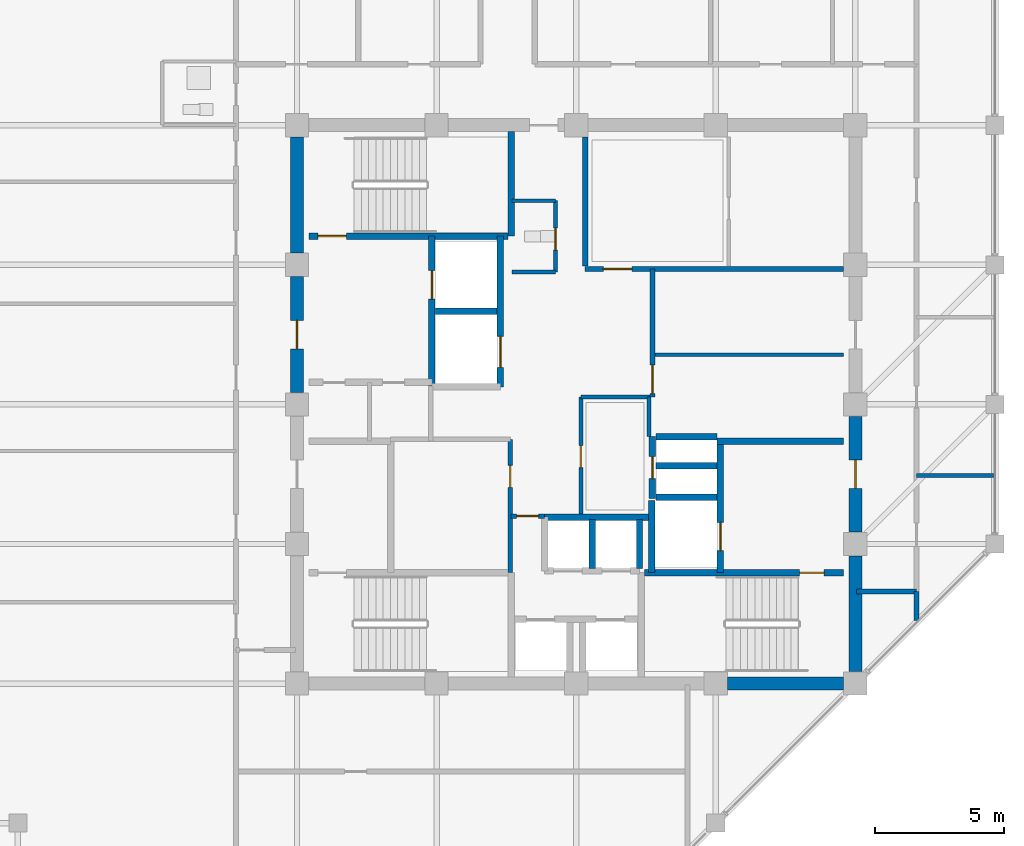
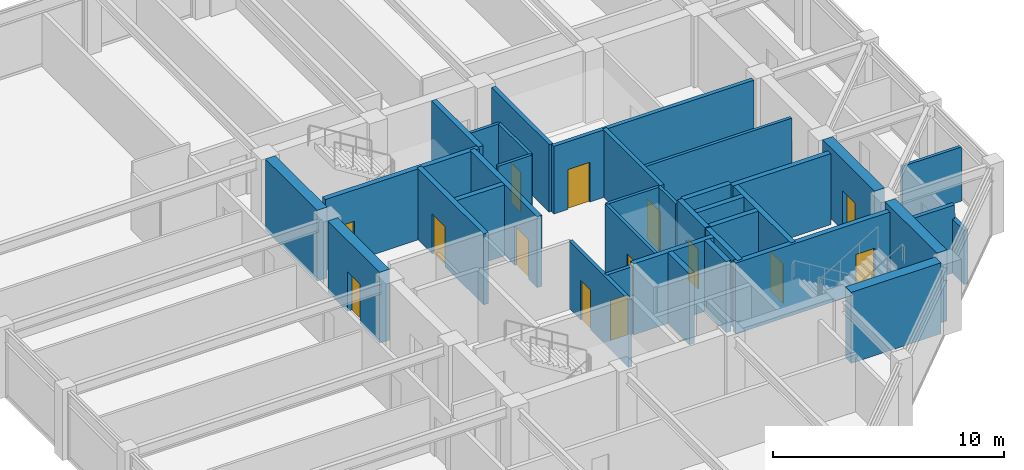
# One storey, part 27 of 31: 36 walls, 14 doors, 14 openings.
"""IFC4 building model written with IfcOpenShell, lengths in metres."""

from ifc_helpers import new_model, si_unit, direction, frame, frame_2d, origin, place, context, subcontext, project, spatial, rectangle, extrude, material, layer, layer_set, type_object, element, fill, save


model = new_model("IFC4")

# Units and contexts
model_context = context("Model", 3, precision=1e-05, world=origin(), true_north=direction((0.0, 1.0)))
body_context = subcontext(model_context, "Body", "Model", "MODEL_VIEW")
ifc_project = project(units=[si_unit("LENGTHUNIT", "METRE"), si_unit("AREAUNIT", "SQUARE_METRE"), si_unit("VOLUMEUNIT", "CUBIC_METRE"), si_unit("PLANEANGLEUNIT", "RADIAN"), si_unit("MASSUNIT", "GRAM", prefix="KILO")], contexts=[model_context])

# Site, building, storey
site_placement = place(None, origin())
site = spatial("IfcSite", under=ifc_project, at=site_placement, CompositionType="ELEMENT")
building_placement = place(site_placement, origin())
building = spatial("IfcBuilding", under=site, at=building_placement, Name="Surkhivell Harbour Commons", CompositionType="ELEMENT")
storey_placement = place(building_placement, frame((0.0, 0.0, 285.0)))
storey = spatial("IfcBuildingStorey", under=building, at=storey_placement, Name="L74", CompositionType="ELEMENT", Elevation=285.0)

# Wall
ifc_material_1 = material(Name="Concrete C50/60", Category="concrete")
ifc_layer_1 = layer(ifc_material_1, 0.5)
ifc_layer_set_1 = layer_set([ifc_layer_1], Name="Concrete C50/60")
wall_type_1 = type_object("IfcWallType", Name="WAL-CORE-500", PredefinedType="SHEAR", material=ifc_layer_set_1)
wall_1_placement = place(storey_placement, frame((10.800048828125, -10.340087890625, 0.0), z_axis=(0.0, 0.0, 1.0), x_axis=(0.0, 1.0, 0.0)))
element("IfcWall", 1, at=wall_1_placement, inside=storey, type_object=wall_type_1, Name="L74 Core Shear Wall East 1", PredefinedType="SHEAR", context=body_context, shape_type="SweptSolid", body=[
    extrude(rectangle(XDim=4.47998046875, YDim=0.5, at=frame_2d((2.239990234375, 0.0))), origin(), (0.0, 0.0, 1.0), 3.75),
])

# Wall, opening, door
wall_2_placement = place(storey_placement, frame((10.800048828125, -4.93994140625, 0.0), z_axis=(0.0, 0.0, 1.0), x_axis=(0.0, 1.0, 0.0)))
wall_2 = element("IfcWall", 2, at=wall_2_placement, inside=storey, type_object=wall_type_1, Name="L74 Core Shear Wall East 2", PredefinedType="SHEAR", context=body_context, shape_type="SweptSolid", body=[
    extrude(rectangle(XDim=4.47998046875, YDim=0.5, at=frame_2d((2.239990234375, 0.0))), origin(), (0.0, 0.0, 1.0), 3.75),
])
opening_1_placement = place(wall_2_placement, frame((1.68994140625, 0.0, 0.0)))
opening_1 = element("IfcOpeningElement", 3, at=opening_1_placement, cuts=wall_2, Name="Opening ID-1", PredefinedType="OPENING", context=body_context, shape_type="SweptSolid", body=[
    extrude(rectangle(XDim=1.10009765625, YDim=2.10009765625, at=frame_2d((0.550048828125, 1.050048828125))), frame((0.0, 0.260009765625, 0.0), z_axis=(0.0, -1.0, 0.0), x_axis=(1.0, 0.0, 0.0)), (0.0, 0.0, 1.0), 0.52001953125),
])
ifc_material_2 = material(Name="Hardwood-veneered fire-rated door leaf", Category="wood")
door_type_1 = type_object("IfcDoorType", Name="DOR-FD120-1100", OperationType="NOTDEFINED", PredefinedType="DOOR", material=ifc_material_2)
door_1_placement = place(opening_1_placement, origin())
door_1 = element("IfcDoor", 4, at=door_1_placement, inside=storey, type_object=door_type_1, Name="L74 Firefighting Lobby 2 Corridor Door", OperationType="SINGLE_SWING_RIGHT", OverallHeight=2.10009765625, OverallWidth=1.10009765625, PredefinedType="DOOR", context=body_context, shape_type="SweptSolid", body=[
    extrude(rectangle(XDim=1.10009765625, YDim=2.10009765625, at=frame_2d((0.550048828125, 1.050048828125))), frame((0.0, 0.02490234375, 0.0), z_axis=(0.0, -1.0, 0.0), x_axis=(1.0, 0.0, 0.0)), (0.0, 0.0, 1.0), 0.050048828125),
])
fill(opening_1, door_1)

wall_3_placement = place(storey_placement, frame((-10.800048828125, 0.4599609375, 0.0), z_axis=(0.0, 0.0, 1.0), x_axis=(0.0, 1.0, 0.0)))
wall_3 = element("IfcWall", 5, at=wall_3_placement, inside=storey, type_object=wall_type_1, Name="L74 Core Shear Wall West 3", PredefinedType="SHEAR", context=body_context, shape_type="SweptSolid", body=[
    extrude(rectangle(XDim=4.47998046875, YDim=0.5, at=frame_2d((2.239990234375, 0.0))), origin(), (0.0, 0.0, 1.0), 3.75),
])
opening_2_placement = place(wall_3_placement, frame((1.68994140625, 0.0, 0.0)))
opening_2 = element("IfcOpeningElement", 6, at=opening_2_placement, cuts=wall_3, Name="Opening ID-1", PredefinedType="OPENING", context=body_context, shape_type="SweptSolid", body=[
    extrude(rectangle(XDim=1.10009765625, YDim=2.10009765625, at=frame_2d((0.550048828125, 1.050048828125))), frame((0.0, 0.260009765625, 0.0), z_axis=(0.0, -1.0, 0.0), x_axis=(1.0, 0.0, 0.0)), (0.0, 0.0, 1.0), 0.52001953125),
])
door_2_placement = place(opening_2_placement, origin())
door_2 = element("IfcDoor", 7, at=door_2_placement, inside=storey, type_object=door_type_1, Name="L74 Firefighting Lobby 1 Corridor Door", OperationType="SINGLE_SWING_LEFT", OverallHeight=2.10009765625, OverallWidth=1.10009765625, PredefinedType="DOOR", context=body_context, shape_type="SweptSolid", body=[
    extrude(rectangle(XDim=1.10009765625, YDim=2.10009765625, at=frame_2d((0.550048828125, 1.050048828125))), frame((0.0, 0.02490234375, 0.0), z_axis=(0.0, -1.0, 0.0), x_axis=(1.0, 0.0, 0.0)), (0.0, 0.0, 1.0), 0.050048828125),
])
fill(opening_2, door_2)

# Walls
for number, where, z_axis, x_axis, name in (
    (8, (5.860107421875, -10.800048828125, 0.0), (0.0, 0.0, 1.0), (1.0, 0.0, 0.0), "L74 Core Shear Wall South 4"),
    (9, (-10.800048828125, 5.860107421875, 0.0), (0.0, 0.0, 1.0), (0.0, 1.0, 0.0), "L74 Core Shear Wall West 4"),
):
    element("IfcWall", number, at=place(storey_placement, frame(where, z_axis=z_axis, x_axis=x_axis)), inside=storey, type_object=wall_type_1, Name=name, PredefinedType="SHEAR", context=body_context, shape_type="SweptSolid", body=[
        extrude(rectangle(XDim=4.47998046875, YDim=0.5, at=frame_2d((2.239990234375, 0.0))), origin(), (0.0, 0.0, 1.0), 3.75),
    ])

# Wall, opening, door
ifc_material_3 = material(Name="Twin-stud acoustic fireboard partition", Category="other")
ifc_layer_2 = layer(ifc_material_3, 0.14990234375)
ifc_layer_set_2 = layer_set([ifc_layer_2], Name="Twin-stud acoustic fireboard partition")
wall_type_2 = type_object("IfcWallType", Name="WAL-INT-150", PredefinedType="PARTITIONING", material=ifc_layer_set_2)
wall_4_placement = place(storey_placement, frame((-0.800048828125, 5.1201171875, 0.0), z_axis=(0.0, 0.0, 1.0), x_axis=(0.0, 1.0, 0.0)))
wall_4 = element("IfcWall", 10, at=wall_4_placement, inside=storey, type_object=wall_type_2, Name="L74 Core Accessible WC East Wall", PredefinedType="PARTITIONING", context=body_context, shape_type="SweptSolid", body=[
    extrude(rectangle(XDim=2.759765625, YDim=0.14990234375, at=frame_2d((1.3798828125, 0.0))), origin(), (0.0, 0.0, 1.0), 3.570068359375),
])
opening_3_placement = place(wall_4_placement, frame((0.85009765625, 0.0, 0.0)))
opening_3 = element("IfcOpeningElement", 11, at=opening_3_placement, cuts=wall_4, Name="Opening ID-6", PredefinedType="OPENING", context=body_context, shape_type="SweptSolid", body=[
    extrude(rectangle(XDim=0.85009765625, YDim=2.10009765625, at=frame_2d((0.425048828125, 1.050048828125))), frame((0.0, 0.0849609375, 0.0), z_axis=(0.0, -1.0, 0.0), x_axis=(1.0, 0.0, 0.0)), (0.0, 0.0, 1.0), 0.169921875),
])
door_type_2 = type_object("IfcDoorType", Name="DOR-FD30-850", OperationType="NOTDEFINED", PredefinedType="DOOR", material=ifc_material_2)
door_3_placement = place(opening_3_placement, origin())
door_3 = element("IfcDoor", 12, at=door_3_placement, inside=storey, type_object=door_type_2, Name="L74 Floor Accessible WC Door", OperationType="SINGLE_SWING_LEFT", OverallHeight=2.10009765625, OverallWidth=0.85009765625, PredefinedType="DOOR", context=body_context, shape_type="SweptSolid", body=[
    extrude(rectangle(XDim=0.85009765625, YDim=2.10009765625, at=frame_2d((0.425048828125, 1.050048828125))), frame((0.0, 0.02490234375, 0.0), z_axis=(0.0, -1.0, 0.0), x_axis=(1.0, 0.0, 0.0)), (0.0, 0.0, 1.0), 0.050048828125),
])
fill(opening_3, door_3)

# Walls
for number, where, z_axis, x_axis, name in (
    (13, (-2.47998046875, 7.8798828125, 0.0), (0.0, 0.0, 1.0), (1.0, 0.0, 0.0), "L74 Core Accessible WC North Wall"),
    (14, (-2.47998046875, 5.1201171875, 0.0), (0.0, 0.0, 1.0), (1.0, 0.0, 0.0), "L74 Core Accessible WC South Wall"),
):
    element("IfcWall", number, at=place(storey_placement, frame(where, z_axis=z_axis, x_axis=x_axis)), inside=storey, type_object=wall_type_2, Name=name, PredefinedType="PARTITIONING", context=body_context, shape_type="SweptSolid", body=[
        extrude(rectangle(XDim=1.679931640625, YDim=0.14990234375, at=frame_2d((0.83984375, 0.0))), origin(), (0.0, 0.0, 1.0), 3.570068359375),
    ])
wall_5_placement = place(storey_placement, frame((2.820068359375, -1.25, 0.0), z_axis=(0.0, 0.0, 1.0), x_axis=(0.0, 1.0, 0.0)))
element("IfcWall", 15, at=wall_5_placement, inside=storey, type_object=wall_type_2, Name="L74 Central Music East Wall", PredefinedType="PARTITIONING", context=body_context, shape_type="SweptSolid", body=[
    extrude(rectangle(XDim=1.530029296875, YDim=0.14990234375, at=frame_2d((0.76513671875, 0.0))), origin(), (0.0, 0.0, 1.0), 3.570068359375),
])
wall_6_placement = place(storey_placement, frame((0.179931640625, 0.280029296875, 0.0), z_axis=(0.0, 0.0, 1.0), x_axis=(1.0, 0.0, 0.0)))
element("IfcWall", 16, at=wall_6_placement, inside=storey, type_object=wall_type_2, Name="L74 Central Music North Wall", PredefinedType="PARTITIONING", context=body_context, shape_type="SweptSolid", body=[
    extrude(rectangle(XDim=2.670166015625, YDim=0.14990234375, at=frame_2d((1.3349609375, 0.0))), origin(), (0.0, 0.0, 1.0), 3.570068359375),
])

# Wall, opening, door
wall_7_placement = place(storey_placement, frame((0.179931640625, -4.25, 0.0), z_axis=(0.0, 0.0, 1.0), x_axis=(0.0, 1.0, 0.0)))
wall_7 = element("IfcWall", 17, at=wall_7_placement, inside=storey, type_object=wall_type_2, Name="L74 Central Music West Wall", PredefinedType="PARTITIONING", context=body_context, shape_type="SweptSolid", body=[
    extrude(rectangle(XDim=4.530029296875, YDim=0.14990234375, at=frame_2d((2.26513671875, 0.0))), origin(), (0.0, 0.0, 1.0), 3.570068359375),
])
opening_4_placement = place(wall_7_placement, frame((1.800048828125, 0.0, 0.0)))
opening_4 = element("IfcOpeningElement", 18, at=opening_4_placement, cuts=wall_7, Name="Opening ID-6", PredefinedType="OPENING", context=body_context, shape_type="SweptSolid", body=[
    extrude(rectangle(XDim=0.85009765625, YDim=2.10009765625, at=frame_2d((0.425048828125, 1.050048828125))), frame((0.0, 0.0849609375, 0.0), z_axis=(0.0, -1.0, 0.0), x_axis=(1.0, 0.0, 0.0)), (0.0, 0.0, 1.0), 0.169921875),
])
door_4_placement = place(opening_4_placement, origin())
door_4 = element("IfcDoor", 19, at=door_4_placement, inside=storey, type_object=door_type_2, Name="L74 Central Music Door", OperationType="SINGLE_SWING_RIGHT", OverallHeight=2.10009765625, OverallWidth=0.85009765625, PredefinedType="DOOR", context=body_context, shape_type="SweptSolid", body=[
    extrude(rectangle(XDim=0.85009765625, YDim=2.10009765625, at=frame_2d((0.425048828125, 1.050048828125))), frame((0.0, 0.02490234375, 0.0), z_axis=(0.0, -1.0, 0.0), x_axis=(1.0, 0.0, 0.0)), (0.0, 0.0, 1.0), 0.050048828125),
])
fill(opening_4, door_4)

# Walls
wall_8_placement = place(storey_placement, frame((2.949951171875, 1.919921875, 0.0), z_axis=(0.0, 0.0, 1.0), x_axis=(1.0, 0.0, 0.0)))
element("IfcWall", 20, at=wall_8_placement, inside=storey, type_object=wall_type_2, Name="L74 Quiet Study Wall", PredefinedType="PARTITIONING", context=body_context, shape_type="SweptSolid", body=[
    extrude(rectangle(XDim=7.39013671875, YDim=0.14990234375, at=frame_2d((3.695068359375, 0.0))), origin(), (0.0, 0.0, 1.0), 3.570068359375),
])
wall_9_placement = place(storey_placement, frame((13.159912109375, -2.75, 0.0), z_axis=(0.0, 0.0, 1.0), x_axis=(1.0, 0.0, 0.0)))
element("IfcWall", 21, at=wall_9_placement, inside=storey, type_object=wall_type_2, Name="L74 East Partition P1", PredefinedType="PARTITIONING", context=body_context, shape_type="SweptSolid", body=[
    extrude(rectangle(XDim=2.97998046875, YDim=0.14990234375, at=frame_2d((1.489990234375, 0.0))), origin(), (0.0, 0.0, 1.0), 2.85693359375),
])

# Wall, opening, door
ifc_material_4 = material(Name="High-density acoustic blockwork fire partition", Category="masonry")
ifc_layer_3 = layer(ifc_material_4, 0.175048828125)
ifc_layer_set_3 = layer_set([ifc_layer_3], Name="High-density acoustic blockwork fire partition")
wall_type_3 = type_object("IfcWallType", Name="WAL-INT-175", PredefinedType="PARTITIONING", material=ifc_layer_set_3)
wall_10_placement = place(storey_placement, frame((-2.550048828125, -6.510009765625, 0.0), z_axis=(0.0, 0.0, 1.0), x_axis=(0.0, 1.0, 0.0)))
wall_10 = element("IfcWall", 22, at=wall_10_placement, inside=storey, type_object=wall_type_3, Name="L74 Core Service Bay East Wall", PredefinedType="PARTITIONING", context=body_context, shape_type="SweptSolid", body=[
    extrude(rectangle(XDim=5.159912109375, YDim=0.175048828125, at=frame_2d((2.580078125, 0.0))), origin(), (0.0, 0.0, 1.0), 3.570068359375),
])
opening_5_placement = place(wall_10_placement, frame((3.300048828125, 0.0, 0.0)))
opening_5 = element("IfcOpeningElement", 23, at=opening_5_placement, cuts=wall_10, Name="Opening ID-6", PredefinedType="OPENING", context=body_context, shape_type="SweptSolid", body=[
    extrude(rectangle(XDim=0.85009765625, YDim=2.10009765625, at=frame_2d((0.425048828125, 1.050048828125))), frame((0.0, 0.097412109375, 0.0), z_axis=(0.0, -1.0, 0.0), x_axis=(1.0, 0.0, 0.0)), (0.0, 0.0, 1.0), 0.195068359375),
])
door_5_placement = place(opening_5_placement, origin())
door_5 = element("IfcDoor", 24, at=door_5_placement, inside=storey, type_object=door_type_2, Name="L74 Core Quiet Reading Door", OperationType="SINGLE_SWING_RIGHT", OverallHeight=2.10009765625, OverallWidth=0.85009765625, PredefinedType="DOOR", context=body_context, shape_type="SweptSolid", body=[
    extrude(rectangle(XDim=0.85009765625, YDim=2.10009765625, at=frame_2d((0.425048828125, 1.050048828125))), frame((0.0, 0.02490234375, 0.0), z_axis=(0.0, -1.0, 0.0), x_axis=(1.0, 0.0, 0.0)), (0.0, 0.0, 1.0), 0.050048828125),
])
fill(opening_5, door_5)

wall_11_placement = place(storey_placement, frame((-2.52001953125, -4.320068359375, 0.0), z_axis=(0.0, 0.0, 1.0), x_axis=(1.0, 0.0, 0.0)))
wall_11 = element("IfcWall", 25, at=wall_11_placement, inside=storey, type_object=wall_type_3, Name="L74 High-Rise Lobby North Portal Wall", PredefinedType="PARTITIONING", context=body_context, shape_type="SweptSolid", body=[
    extrude(rectangle(XDim=1.300048828125, YDim=0.175048828125, at=frame_2d((0.64990234375, 0.0))), origin(), (0.0, 0.0, 1.0), 3.570068359375),
])
opening_6_placement = place(wall_11_placement, frame((0.219970703125, 0.0, 0.0)))
opening_6 = element("IfcOpeningElement", 26, at=opening_6_placement, cuts=wall_11, Name="Opening ID-6", PredefinedType="OPENING", context=body_context, shape_type="SweptSolid", body=[
    extrude(rectangle(XDim=0.85009765625, YDim=2.10009765625, at=frame_2d((0.425048828125, 1.050048828125))), frame((0.0, 0.097412109375, 0.0), z_axis=(0.0, -1.0, 0.0), x_axis=(1.0, 0.0, 0.0)), (0.0, 0.0, 1.0), 0.195068359375),
])
door_6_placement = place(opening_6_placement, origin())
door_6 = element("IfcDoor", 27, at=door_6_placement, inside=storey, type_object=door_type_2, Name="L74 High-Rise Lift Lobby North Door", OperationType="SINGLE_SWING_LEFT", OverallHeight=2.10009765625, OverallWidth=0.85009765625, PredefinedType="DOOR", context=body_context, shape_type="SweptSolid", body=[
    extrude(rectangle(XDim=0.85009765625, YDim=2.10009765625, at=frame_2d((0.425048828125, 1.050048828125))), frame((0.0, 0.02490234375, 0.0), z_axis=(0.0, -1.0, 0.0), x_axis=(1.0, 0.0, 0.0)), (0.0, 0.0, 1.0), 0.050048828125),
])
fill(opening_6, door_6)

ifc_material_5 = material(Name="Autoclaved aerated concrete blockwork and fire plaster", Category="masonry")
ifc_layer_4 = layer(ifc_material_5, 0.199951171875)
ifc_layer_set_4 = layer_set([ifc_layer_4], Name="Autoclaved aerated concrete blockwork and fire plaster")
wall_type_4 = type_object("IfcWallType", Name="WAL-INT-200", PredefinedType="PARTITIONING", material=ifc_layer_set_4)
wall_12_placement = place(storey_placement, frame((0.35009765625, 5.239990234375, 0.0), z_axis=(0.0, 0.0, 1.0), x_axis=(1.0, 0.0, 0.0)))
wall_12 = element("IfcWall", 28, at=wall_12_placement, inside=storey, type_object=wall_type_4, Name="L74 Reclaimed Core North Bay South Wall", PredefinedType="PARTITIONING", context=body_context, shape_type="SweptSolid", body=[
    extrude(rectangle(XDim=9.989990234375, YDim=0.199951171875, at=frame_2d((4.9951171875, 0.0))), origin(), (0.0, 0.0, 1.0), 3.570068359375),
])
opening_7_placement = place(wall_12_placement, frame((0.699951171875, 0.0, 0.0)))
opening_7 = element("IfcOpeningElement", 29, at=opening_7_placement, cuts=wall_12, Name="Opening ID-2", PredefinedType="OPENING", context=body_context, shape_type="SweptSolid", body=[
    extrude(rectangle(XDim=1.10009765625, YDim=2.10009765625, at=frame_2d((0.550048828125, 1.050048828125))), frame((0.0, 0.10986328125, 0.0), z_axis=(0.0, -1.0, 0.0), x_axis=(1.0, 0.0, 0.0)), (0.0, 0.0, 1.0), 0.219970703125),
])
door_type_3 = type_object("IfcDoorType", Name="DOR-FD60-1100", OperationType="NOTDEFINED", PredefinedType="DOOR", material=ifc_material_2)
door_7_placement = place(opening_7_placement, origin())
door_7 = element("IfcDoor", 30, at=door_7_placement, inside=storey, type_object=door_type_3, Name="L74 Core Seminar Door", OperationType="SINGLE_SWING_LEFT", OverallHeight=2.10009765625, OverallWidth=1.10009765625, PredefinedType="DOOR", context=body_context, shape_type="SweptSolid", body=[
    extrude(rectangle(XDim=1.10009765625, YDim=2.10009765625, at=frame_2d((0.550048828125, 1.050048828125))), frame((0.0, 0.02490234375, 0.0), z_axis=(0.0, -1.0, 0.0), x_axis=(1.0, 0.0, 0.0)), (0.0, 0.0, 1.0), 0.050048828125),
])
fill(opening_7, door_7)

# Walls
wall_13_placement = place(storey_placement, frame((0.35009765625, 5.360107421875, 0.0), z_axis=(0.0, 0.0, 1.0), x_axis=(0.0, 1.0, 0.0)))
element("IfcWall", 31, at=wall_13_placement, inside=storey, type_object=wall_type_4, Name="L74 Reclaimed Core North Bay West Wall", PredefinedType="PARTITIONING", context=body_context, shape_type="SweptSolid", body=[
    extrude(rectangle(XDim=4.97998046875, YDim=0.199951171875, at=frame_2d((2.489990234375, 0.0))), origin(), (0.0, 0.0, 1.0), 3.570068359375),
])
wall_14_placement = place(storey_placement, frame((13.159912109375, -8.355224609375, 0.0), z_axis=(0.0, 0.0, 1.0), x_axis=(0.0, 1.0, 0.0)))
element("IfcWall", 32, at=wall_14_placement, inside=storey, type_object=wall_type_4, Name="L74 East Wing South Closure Wall", PredefinedType="PARTITIONING", context=body_context, shape_type="SweptSolid", body=[
    extrude(rectangle(XDim=1.115234375, YDim=0.199951171875, at=frame_2d((0.5576171875, 0.0))), origin(), (0.0, 0.0, 1.0), 2.85693359375),
])
wall_15_placement = place(storey_placement, frame((10.85009765625, -7.239990234375, 0.0), z_axis=(0.0, 0.0, 1.0), x_axis=(1.0, 0.0, 0.0)))
element("IfcWall", 33, at=wall_15_placement, inside=storey, type_object=wall_type_4, Name="L74 East Corridor South Closure Wall", PredefinedType="PARTITIONING", context=body_context, shape_type="SweptSolid", body=[
    extrude(rectangle(XDim=2.309814453125, YDim=0.199951171875, at=frame_2d((1.15478515625, 0.0))), origin(), (0.0, 0.0, 1.0), 3.570068359375),
])

# Wall, opening, door
wall_16_placement = place(storey_placement, frame((2.949951171875, 0.280029296875, 0.0), z_axis=(0.0, 0.0, 1.0), x_axis=(0.0, 1.0, 0.0)))
wall_16 = element("IfcWall", 34, at=wall_16_placement, inside=storey, type_object=wall_type_4, Name="L74 Reclaimed East Core West Wall", PredefinedType="PARTITIONING", context=body_context, shape_type="SweptSolid", body=[
    extrude(rectangle(XDim=4.9599609375, YDim=0.199951171875, at=frame_2d((2.47998046875, 0.0))), origin(), (0.0, 0.0, 1.0), 3.570068359375),
])
opening_8_placement = place(wall_16_placement, frame((0.139892578125, 0.0, 0.0)))
opening_8 = element("IfcOpeningElement", 35, at=opening_8_placement, cuts=wall_16, Name="Opening ID-2", PredefinedType="OPENING", context=body_context, shape_type="SweptSolid", body=[
    extrude(rectangle(XDim=1.10009765625, YDim=2.10009765625, at=frame_2d((0.550048828125, 1.050048828125))), frame((0.0, 0.10986328125, 0.0), z_axis=(0.0, -1.0, 0.0), x_axis=(1.0, 0.0, 0.0)), (0.0, 0.0, 1.0), 0.219970703125),
])
door_8_placement = place(opening_8_placement, origin())
door_8 = element("IfcDoor", 36, at=door_8_placement, inside=storey, type_object=door_type_3, Name="L74 Quiet Study A Door", OperationType="SINGLE_SWING_LEFT", OverallHeight=2.10009765625, OverallWidth=1.10009765625, PredefinedType="DOOR", context=body_context, shape_type="SweptSolid", body=[
    extrude(rectangle(XDim=1.10009765625, YDim=2.10009765625, at=frame_2d((0.550048828125, 1.050048828125))), frame((0.0, 0.02490234375, 0.0), z_axis=(0.0, -1.0, 0.0), x_axis=(1.0, 0.0, 0.0)), (0.0, 0.0, 1.0), 0.050048828125),
])
fill(opening_8, door_8)

ifc_layer_5 = layer(ifc_material_1, 0.25)
ifc_layer_set_5 = layer_set([ifc_layer_5], Name="Concrete C50/60")
wall_type_5 = type_object("IfcWallType", Name="WAL-SHAFT-250", PredefinedType="SHEAR", material=ifc_layer_set_5)
wall_17_placement = place(storey_placement, frame((-5.580078125, 0.719970703125, 0.0), z_axis=(0.0, 0.0, 1.0), x_axis=(0.0, 1.0, 0.0)))
wall_17 = element("IfcWall", 37, at=wall_17_placement, inside=storey, type_object=wall_type_5, Name="L74 Firefighting Lobby 1 East Shaft Wall", PredefinedType="SHEAR", context=body_context, shape_type="SweptSolid", body=[
    extrude(rectangle(XDim=5.7900390625, YDim=0.25, at=frame_2d((2.89501953125, 0.0))), origin(), (0.0, 0.0, 1.0), 3.75),
])
opening_9_placement = place(wall_17_placement, frame((3.35009765625, 0.0, 0.0)))
opening_9 = element("IfcOpeningElement", 38, at=opening_9_placement, cuts=wall_17, Name="Opening LD-1", PredefinedType="OPENING", context=body_context, shape_type="SweptSolid", body=[
    extrude(rectangle(XDim=1.10009765625, YDim=2.10009765625, at=frame_2d((0.550048828125, 1.050048828125))), frame((0.0, 0.135009765625, 0.0), z_axis=(0.0, -1.0, 0.0), x_axis=(1.0, 0.0, 0.0)), (0.0, 0.0, 1.0), 0.27001953125),
])
ifc_material_6 = material(Name="Brushed stainless steel S355", Category="steel")
door_type_4 = type_object("IfcDoorType", Name="DOR-LD-1100", OperationType="SLIDING_TO_LEFT", PredefinedType="DOOR", material=ifc_material_6)
door_9_placement = place(opening_9_placement, origin())
door_9 = element("IfcDoor", 39, at=door_9_placement, inside=storey, type_object=door_type_4, Name="L74 Lift Landing Door LD-FFL1", OperationType="SLIDING_TO_LEFT", OverallHeight=2.10009765625, OverallWidth=1.10009765625, PredefinedType="DOOR", context=body_context, shape_type="SweptSolid", body=[
    extrude(rectangle(XDim=1.10009765625, YDim=2.10009765625, at=frame_2d((0.550048828125, 1.050048828125))), frame((0.0, 0.02490234375, 0.0), z_axis=(0.0, -1.0, 0.0), x_axis=(1.0, 0.0, 0.0)), (0.0, 0.0, 1.0), 0.050048828125),
])
fill(opening_9, door_9)

# Walls
wall_18_placement = place(storey_placement, frame((2.929931640625, -6.510009765625, 0.0), z_axis=(0.0, 0.0, 1.0), x_axis=(0.0, 1.0, 0.0)))
element("IfcWall", 40, at=wall_18_placement, inside=storey, type_object=wall_type_5, Name="L74 FFL2 West Shaft Wall", PredefinedType="SHEAR", context=body_context, shape_type="SweptSolid", body=[
    extrude(rectangle(XDim=2.7900390625, YDim=0.25, at=frame_2d((1.39501953125, 0.0))), origin(), (0.0, 0.0, 1.0), 3.75),
])
wall_19_placement = place(storey_placement, frame((5.43994140625, -1.419921875, 0.0), z_axis=(0.0, 0.0, 1.0), x_axis=(1.0, 0.0, 0.0)))
element("IfcWall", 41, at=wall_19_placement, inside=storey, type_object=wall_type_5, Name="L74 Firefighting Lobby 2 North Wall", PredefinedType="SHEAR", context=body_context, shape_type="SweptSolid", body=[
    extrude(rectangle(XDim=4.900146484375, YDim=0.25, at=frame_2d((2.4501953125, 0.0))), origin(), (0.0, 0.0, 1.0), 3.75),
])
wall_20_placement = place(storey_placement, frame((3.080078125, -3.60009765625, 0.0), z_axis=(0.0, 0.0, 1.0), x_axis=(1.0, 0.0, 0.0)))
element("IfcWall", 42, at=wall_20_placement, inside=storey, type_object=wall_type_5, Name="L74 FFL2 North Shaft Wall", PredefinedType="SHEAR", context=body_context, shape_type="SweptSolid", body=[
    extrude(rectangle(XDim=2.369873046875, YDim=0.25, at=frame_2d((1.18505859375, 0.0))), origin(), (0.0, 0.0, 1.0), 3.75),
])

# Wall, opening, door
wall_21_placement = place(storey_placement, frame((5.580078125, -6.510009765625, 0.0), z_axis=(0.0, 0.0, 1.0), x_axis=(0.0, 1.0, 0.0)))
wall_21 = element("IfcWall", 43, at=wall_21_placement, inside=storey, type_object=wall_type_5, Name="L74 Firefighting Lobby 2 West Shaft Wall", PredefinedType="SHEAR", context=body_context, shape_type="SweptSolid", body=[
    extrude(rectangle(XDim=5.090087890625, YDim=0.25, at=frame_2d((2.544921875, 0.0))), origin(), (0.0, 0.0, 1.0), 3.75),
])
opening_10_placement = place(wall_21_placement, frame((0.85009765625, 0.0, 0.0)))
opening_10 = element("IfcOpeningElement", 44, at=opening_10_placement, cuts=wall_21, Name="Opening LD-1", PredefinedType="OPENING", context=body_context, shape_type="SweptSolid", body=[
    extrude(rectangle(XDim=1.10009765625, YDim=2.10009765625, at=frame_2d((0.550048828125, 1.050048828125))), frame((0.0, 0.135009765625, 0.0), z_axis=(0.0, -1.0, 0.0), x_axis=(1.0, 0.0, 0.0)), (0.0, 0.0, 1.0), 0.27001953125),
])
door_10_placement = place(opening_10_placement, origin())
door_10 = element("IfcDoor", 45, at=door_10_placement, inside=storey, type_object=door_type_4, Name="L74 Lift Landing Door LD-FFL2", OperationType="SLIDING_TO_RIGHT", OverallHeight=2.10009765625, OverallWidth=1.10009765625, PredefinedType="DOOR", context=body_context, shape_type="SweptSolid", body=[
    extrude(rectangle(XDim=1.10009765625, YDim=2.10009765625, at=frame_2d((0.550048828125, 1.050048828125))), frame((0.0, 0.02490234375, 0.0), z_axis=(0.0, -1.0, 0.0), x_axis=(1.0, 0.0, 0.0)), (0.0, 0.0, 1.0), 0.050048828125),
])
fill(opening_10, door_10)

# Walls
for number, where, z_axis, x_axis, name in (
    (46, (0.6201171875, -6.340087890625, 0.0), (0.0, 0.0, 1.0), (0.0, 1.0, 0.0), "L74 High-Rise Side Wall N"),
    (47, (2.449951171875, -6.340087890625, 0.0), (0.0, 0.0, 1.0), (0.0, 1.0, 0.0), "L74 High-Rise Side Wall N"),
):
    element("IfcWall", number, at=place(storey_placement, frame(where, z_axis=z_axis, x_axis=x_axis)), inside=storey, type_object=wall_type_5, Name=name, PredefinedType="SHEAR", context=body_context, shape_type="SweptSolid", body=[
        extrude(rectangle(XDim=1.880126953125, YDim=0.25, at=frame_2d((0.93994140625, 0.0))), origin(), (0.0, 0.0, 1.0), 3.75),
    ])
wall_22_placement = place(storey_placement, frame((-1.219970703125, -4.360107421875, 0.0), z_axis=(0.0, 0.0, 1.0), x_axis=(1.0, 0.0, 0.0)))
element("IfcWall", 48, at=wall_22_placement, inside=storey, type_object=wall_type_5, Name="L74 High-Rise North Back Shaft Wall", PredefinedType="SHEAR", context=body_context, shape_type="SweptSolid", body=[
    extrude(rectangle(XDim=4.030029296875, YDim=0.25, at=frame_2d((2.01513671875, 0.0))), origin(), (0.0, 0.0, 1.0), 3.75),
])
for number, where, z_axis, x_axis, name in (
    (49, (3.080078125, -2.3798828125, 0.0), (0.0, 0.0, 1.0), (1.0, 0.0, 0.0), "L74 Riser Divider Wall"),
    (50, (3.080078125, -1.25, 0.0), (0.0, 0.0, 1.0), (1.0, 0.0, 0.0), "L74 Riser North Wall"),
):
    element("IfcWall", number, at=place(storey_placement, frame(where, z_axis=z_axis, x_axis=x_axis)), inside=storey, type_object=wall_type_5, Name=name, PredefinedType="SHEAR", context=body_context, shape_type="SweptSolid", body=[
        extrude(rectangle(XDim=2.369873046875, YDim=0.25, at=frame_2d((1.18505859375, 0.0))), origin(), (0.0, 0.0, 1.0), 3.75),
    ])

# Wall, opening, door
wall_23_placement = place(storey_placement, frame((2.949951171875, -3.64990234375, 0.0), z_axis=(0.0, 0.0, 1.0), x_axis=(0.0, 1.0, 0.0)))
wall_23 = element("IfcWall", 51, at=wall_23_placement, inside=storey, type_object=wall_type_5, Name="L74 Riser Shaft West Wall", PredefinedType="SHEAR", context=body_context, shape_type="SweptSolid", body=[
    extrude(rectangle(XDim=2.39990234375, YDim=0.25, at=frame_2d((1.199951171875, 0.0))), origin(), (0.0, 0.0, 1.0), 3.75),
])
opening_11_placement = place(wall_23_placement, frame((0.77490234375, 0.0, 0.0)))
opening_11 = element("IfcOpeningElement", 52, at=opening_11_placement, cuts=wall_23, Name="Opening ID-6", PredefinedType="OPENING", context=body_context, shape_type="SweptSolid", body=[
    extrude(rectangle(XDim=0.85009765625, YDim=2.10009765625, at=frame_2d((0.425048828125, 1.050048828125))), frame((0.0, 0.135009765625, 0.0), z_axis=(0.0, -1.0, 0.0), x_axis=(1.0, 0.0, 0.0)), (0.0, 0.0, 1.0), 0.27001953125),
])
door_11_placement = place(opening_11_placement, origin())
door_11 = element("IfcDoor", 53, at=door_11_placement, inside=storey, type_object=door_type_2, Name="L74 Electrical Riser Access Door", OperationType="SINGLE_SWING_LEFT", OverallHeight=2.10009765625, OverallWidth=0.85009765625, PredefinedType="DOOR", context=body_context, shape_type="SweptSolid", body=[
    extrude(rectangle(XDim=0.85009765625, YDim=2.10009765625, at=frame_2d((0.425048828125, 1.050048828125))), frame((0.0, 0.02490234375, 0.0), z_axis=(0.0, -1.0, 0.0), x_axis=(1.0, 0.0, 0.0)), (0.0, 0.0, 1.0), 0.050048828125),
])
fill(opening_11, door_11)

# Wall
wall_24_placement = place(storey_placement, frame((-2.510009765625, 6.510009765625, 0.0), z_axis=(0.0, 0.0, 1.0), x_axis=(0.0, 1.0, 0.0)))
element("IfcWall", 54, at=wall_24_placement, inside=storey, type_object=wall_type_5, Name="L74 Stair ST1 East Shear Wall", PredefinedType="SHEAR", context=body_context, shape_type="SweptSolid", body=[
    extrude(rectangle(XDim=4.0400390625, YDim=0.25, at=frame_2d((2.02001953125, 0.0))), origin(), (0.0, 0.0, 1.0), 3.75),
])

# Wall, opening, door
wall_25_placement = place(storey_placement, frame((-10.340087890625, 6.510009765625, 0.0), z_axis=(0.0, 0.0, 1.0), x_axis=(1.0, 0.0, 0.0)))
wall_25 = element("IfcWall", 55, at=wall_25_placement, inside=storey, type_object=wall_type_5, Name="L74 Stair ST1 South Shear Wall", PredefinedType="SHEAR", context=body_context, shape_type="SweptSolid", body=[
    extrude(rectangle(XDim=7.7001953125, YDim=0.25, at=frame_2d((3.85009765625, 0.0))), origin(), (0.0, 0.0, 1.0), 3.75),
])
opening_12_placement = place(wall_25_placement, frame((0.35009765625, 0.0, 0.0)))
opening_12 = element("IfcOpeningElement", 56, at=opening_12_placement, cuts=wall_25, Name="Opening ID-2", PredefinedType="OPENING", context=body_context, shape_type="SweptSolid", body=[
    extrude(rectangle(XDim=1.10009765625, YDim=2.10009765625, at=frame_2d((0.550048828125, 1.050048828125))), frame((0.0, 0.135009765625, 0.0), z_axis=(0.0, -1.0, 0.0), x_axis=(1.0, 0.0, 0.0)), (0.0, 0.0, 1.0), 0.27001953125),
])
door_12_placement = place(opening_12_placement, origin())
door_12 = element("IfcDoor", 57, at=door_12_placement, inside=storey, type_object=door_type_3, Name="L74 Stair ST1 Exit Door", OperationType="SINGLE_SWING_LEFT", OverallHeight=2.10009765625, OverallWidth=1.10009765625, PredefinedType="DOOR", context=body_context, shape_type="SweptSolid", body=[
    extrude(rectangle(XDim=1.10009765625, YDim=2.10009765625, at=frame_2d((0.550048828125, 1.050048828125))), frame((0.0, 0.02490234375, 0.0), z_axis=(0.0, -1.0, 0.0), x_axis=(1.0, 0.0, 0.0)), (0.0, 0.0, 1.0), 0.050048828125),
])
fill(opening_12, door_12)

wall_26_placement = place(storey_placement, frame((2.639892578125, -6.510009765625, 0.0), z_axis=(0.0, 0.0, 1.0), x_axis=(1.0, 0.0, 0.0)))
wall_26 = element("IfcWall", 58, at=wall_26_placement, inside=storey, type_object=wall_type_5, Name="L74 Stair ST2 North Shear Wall", PredefinedType="SHEAR", context=body_context, shape_type="SweptSolid", body=[
    extrude(rectangle(XDim=7.7001953125, YDim=0.25, at=frame_2d((3.85009765625, 0.0))), origin(), (0.0, 0.0, 1.0), 3.75),
])
opening_13_placement = place(wall_26_placement, frame((6.0, 0.0, 0.0)))
opening_13 = element("IfcOpeningElement", 59, at=opening_13_placement, cuts=wall_26, Name="Opening ID-4", PredefinedType="OPENING", context=body_context, shape_type="SweptSolid", body=[
    extrude(rectangle(XDim=0.949951171875, YDim=2.10009765625, at=frame_2d((0.47509765625, 1.050048828125))), frame((0.0, 0.135009765625, 0.0), z_axis=(0.0, -1.0, 0.0), x_axis=(1.0, 0.0, 0.0)), (0.0, 0.0, 1.0), 0.27001953125),
])
door_type_5 = type_object("IfcDoorType", Name="DOR-FD60-950", OperationType="NOTDEFINED", PredefinedType="DOOR", material=ifc_material_2)
door_13_placement = place(opening_13_placement, origin())
door_13 = element("IfcDoor", 60, at=door_13_placement, inside=storey, type_object=door_type_5, Name="L74 Stair ST2 Exit Door", OperationType="SINGLE_SWING_RIGHT", OverallHeight=2.10009765625, OverallWidth=0.949951171875, PredefinedType="DOOR", context=body_context, shape_type="SweptSolid", body=[
    extrude(rectangle(XDim=0.949951171875, YDim=2.10009765625, at=frame_2d((0.47509765625, 1.050048828125))), frame((0.0, 0.02490234375, 0.0), z_axis=(0.0, -1.0, 0.0), x_axis=(1.0, 0.0, 0.0)), (0.0, 0.0, 1.0), 0.050048828125),
])
fill(opening_13, door_13)

wall_27_placement = place(storey_placement, frame((-2.929931640625, 0.679931640625, 0.0), z_axis=(0.0, 0.0, 1.0), x_axis=(0.0, 1.0, 0.0)))
wall_27 = element("IfcWall", 61, at=wall_27_placement, inside=storey, type_object=wall_type_5, Name="L74 Service and Fire Lift East Shaft Wall", PredefinedType="SHEAR", context=body_context, shape_type="SweptSolid", body=[
    extrude(rectangle(XDim=5.830078125, YDim=0.25, at=frame_2d((2.9150390625, 0.0))), origin(), (0.0, 0.0, 1.0), 3.75),
])
opening_14_placement = place(wall_27_placement, frame((0.75, 0.0, 0.0)))
opening_14 = element("IfcOpeningElement", 62, at=opening_14_placement, cuts=wall_27, Name="Opening LD-2", PredefinedType="OPENING", context=body_context, shape_type="SweptSolid", body=[
    extrude(rectangle(XDim=1.199951171875, YDim=2.10009765625, at=frame_2d((0.60009765625, 1.050048828125))), frame((0.0, 0.135009765625, 0.0), z_axis=(0.0, -1.0, 0.0), x_axis=(1.0, 0.0, 0.0)), (0.0, 0.0, 1.0), 0.27001953125),
])
door_type_6 = type_object("IfcDoorType", Name="DOR-LD-1200", OperationType="SLIDING_TO_LEFT", PredefinedType="DOOR", material=ifc_material_6)
door_14_placement = place(opening_14_placement, origin())
door_14 = element("IfcDoor", 63, at=door_14_placement, inside=storey, type_object=door_type_6, Name="L74 Lift Landing Door LD-SVL1", OperationType="SLIDING_TO_LEFT", OverallHeight=2.10009765625, OverallWidth=1.199951171875, PredefinedType="DOOR", context=body_context, shape_type="SweptSolid", body=[
    extrude(rectangle(XDim=1.199951171875, YDim=2.10009765625, at=frame_2d((0.60009765625, 1.050048828125))), frame((0.0, 0.02490234375, 0.0), z_axis=(0.0, -1.0, 0.0), x_axis=(1.0, 0.0, 0.0)), (0.0, 0.0, 1.0), 0.050048828125),
])
fill(opening_14, door_14)

# Wall
wall_28_placement = place(storey_placement, frame((-5.449951171875, 3.60009765625, 0.0), z_axis=(0.0, 0.0, 1.0), x_axis=(1.0, 0.0, 0.0)))
element("IfcWall", 64, at=wall_28_placement, inside=storey, type_object=wall_type_5, Name="L74 FFL1/SVL1 Shaft Divider", PredefinedType="SHEAR", context=body_context, shape_type="SweptSolid", body=[
    extrude(rectangle(XDim=2.389892578125, YDim=0.25, at=frame_2d((1.19482421875, 0.0))), origin(), (0.0, 0.0, 1.0), 3.75),
])

save(model, "model.ifc")
